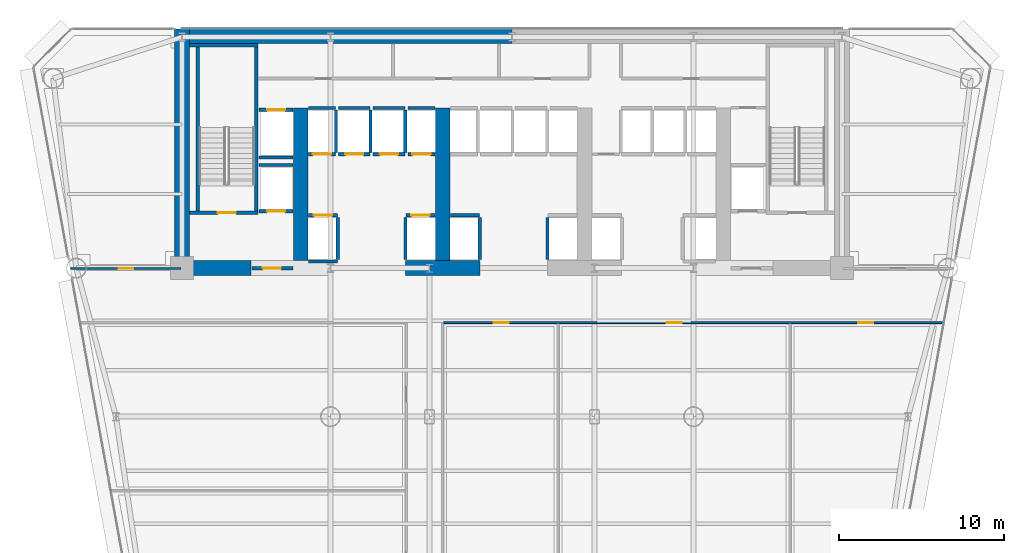
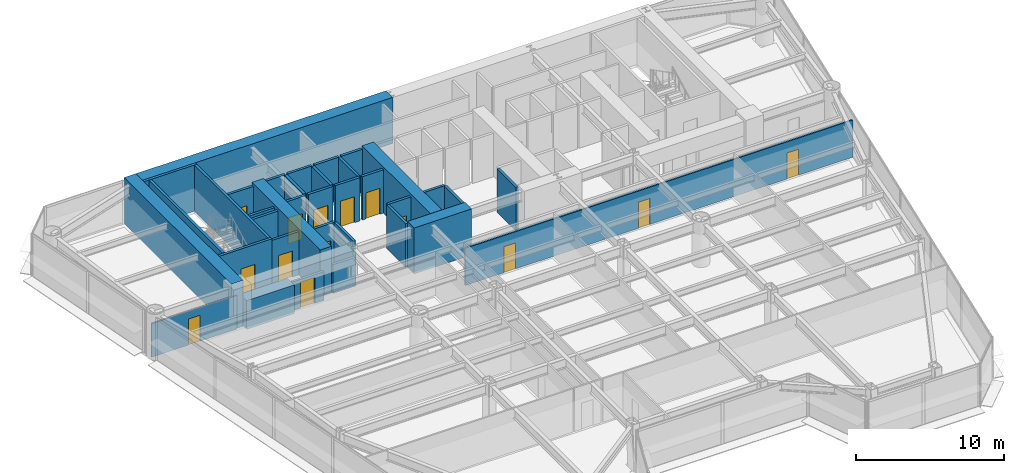
# One storey, part 8 of 14: 36 walls, 14 doors, 14 openings.
"""IFC4 building model written with IfcOpenShell, lengths in metres."""

from ifc_helpers import new_model, si_unit, direction, frame, frame_2d, origin, place, context, subcontext, project, spatial, rectangle, extrude, source, transform, mapped, material, layer, layer_set, type_object, element, fill, save


model = new_model("IFC4")

# Units and contexts
model_context = context("Model", 3, precision=1e-05, world=origin(), true_north=direction((0.0, 1.0)))
body_context = subcontext(model_context, "Body", "Model", "MODEL_VIEW")
ifc_project = project(units=[si_unit("LENGTHUNIT", "METRE"), si_unit("AREAUNIT", "SQUARE_METRE"), si_unit("VOLUMEUNIT", "CUBIC_METRE"), si_unit("PLANEANGLEUNIT", "RADIAN"), si_unit("MASSUNIT", "GRAM", prefix="KILO")], contexts=[model_context])

# Site, building, storey
site_placement = place(None, origin())
site = spatial("IfcSite", under=ifc_project, at=site_placement, CompositionType="ELEMENT")
building_placement = place(site_placement, origin())
building = spatial("IfcBuilding", under=site, at=building_placement, Name="Vaeldorn Concourse Tower", CompositionType="ELEMENT")
storey_placement = place(building_placement, frame((0.0, 0.0, 72.0)))
storey = spatial("IfcBuildingStorey", under=building, at=storey_placement, Name="L18", CompositionType="ELEMENT", Elevation=72.0)

# Walls
ifc_material_1 = material(Name="Concrete C60/75", Category="concrete")
ifc_layer_1 = layer(ifc_material_1, 0.89990234375)
ifc_layer_set_1 = layer_set([ifc_layer_1], Name="Concrete C60/75")
wall_type_1 = type_object("IfcWallType", Name="WL-CORE-900", PredefinedType="SHEAR", material=ifc_layer_set_1)
wall_1_placement = place(storey_placement, frame((14.4541015625, 50.550048828125, 0.0), z_axis=(0.0, 0.0, 1.0), x_axis=(1.0, 0.0, 0.0)))
element("IfcWall", 1, at=wall_1_placement, inside=storey, type_object=wall_type_1, Name="Rear Core Shear Wall L18 N1", PredefinedType="SHEAR", context=body_context, shape_type="SweptSolid", body=[
    extrude(rectangle(XDim=19.5439453125, YDim=0.89990234375, at=frame_2d((9.77197265625, 0.0))), origin(), (0.0, 0.0, 1.0), 3.800048828125),
])
wall_2_placement = place(storey_placement, frame((14.0, 36.5, 0.0), z_axis=(0.0, 0.0, 1.0), x_axis=(0.0, 1.0, 0.0)))
element("IfcWall", 2, at=wall_2_placement, inside=storey, type_object=wall_type_1, Name="Rear Core Shear Wall L18 W1", PredefinedType="SHEAR", context=body_context, shape_type="SweptSolid", body=[
    extrude(rectangle(XDim=14.5, YDim=0.89990234375, at=frame_2d((7.25, 0.0))), origin(), (0.0, 0.0, 1.0), 3.800048828125),
])
wall_3_placement = place(storey_placement, frame((14.469970703125, 36.5, 0.0), z_axis=(0.0, 0.0, 1.0), x_axis=(1.0, 0.0, 0.0)))
element("IfcWall", 3, at=wall_3_placement, inside=storey, type_object=wall_type_1, Name="Rear Core Shear Wall L18 S1", PredefinedType="SHEAR", context=body_context, shape_type="SweptSolid", body=[
    extrude(rectangle(XDim=3.72998046875, YDim=0.89990234375, at=frame_2d((1.864990234375, 0.0))), origin(), (0.0, 0.0, 1.0), 2.3798828125),
])
wall_4_placement = place(storey_placement, frame((27.550048828125, 36.5, 0.0), z_axis=(0.0, 0.0, 1.0), x_axis=(1.0, 0.0, 0.0)))
element("IfcWall", 4, at=wall_4_placement, inside=storey, type_object=wall_type_1, Name="Rear Core Shear Wall L18 S2", PredefinedType="SHEAR", context=body_context, shape_type="SweptSolid", body=[
    extrude(rectangle(XDim=4.5, YDim=0.89990234375, at=frame_2d((2.25, 0.0))), origin(), (0.0, 0.0, 1.0), 3.800048828125),
])
for number, where, z_axis, x_axis, name in (
    (5, (21.199951171875, 36.969970703125, 0.0), (0.0, 0.0, 1.0), (0.0, 1.0, 0.0), "Rear Core Shear Wall L18 M1"),
    (6, (29.800048828125, 36.969970703125, 0.0), (0.0, 0.0, 1.0), (0.0, 1.0, 0.0), "Rear Core Shear Wall L18 M2"),
):
    element("IfcWall", number, at=place(storey_placement, frame(where, z_axis=z_axis, x_axis=x_axis)), inside=storey, type_object=wall_type_1, Name=name, PredefinedType="SHEAR", context=body_context, shape_type="SweptSolid", body=[
        extrude(rectangle(XDim=9.22998046875, YDim=0.89990234375, at=frame_2d((4.614990234375, 0.0))), origin(), (0.0, 0.0, 1.0), 3.800048828125),
    ])

# Wall, openings, doors
ifc_material_2 = material(Name="Gypsum Board Partition", Category="gypsum")
ifc_layer_2 = layer(ifc_material_2, 0.1201171875)
ifc_layer_set_2 = layer_set([ifc_layer_2], Name="Gypsum Board Partition")
wall_type_2 = type_object("IfcWallType", Name="WL-PART-120", PredefinedType="PARTITIONING", material=ifc_layer_set_2)
wall_5_placement = place(storey_placement, frame((29.860107421875, 33.199951171875, 0.0), z_axis=(0.0, 0.0, 1.0), x_axis=(1.0, 0.0, 0.0)))
wall_5 = element("IfcWall", 7, at=wall_5_placement, inside=storey, type_object=wall_type_2, Name="Interior Wall PW-L18-C2SE", PredefinedType="PARTITIONING", context=body_context, shape_type="SweptSolid", body=[
    extrude(rectangle(XDim=30.269287109375, YDim=0.1201171875, at=frame_2d((15.134765625, 0.0))), origin(), (0.0, 0.0, 1.0), 3.070068359375),
])
opening_1_placement = place(wall_5_placement, frame((3.0400390625, 0.0, 0.0)))
opening_1 = element("IfcOpeningElement", 8, at=opening_1_placement, cuts=wall_5, Name="Opening D-03", PredefinedType="OPENING", context=body_context, shape_type="SweptSolid", body=[
    extrude(rectangle(XDim=0.89990234375, YDim=2.14990234375, at=frame_2d((0.449951171875, 1.074951171875))), frame((0.0, 0.070068359375, 0.0), z_axis=(0.0, -1.0, 0.0), x_axis=(1.0, 0.0, 0.0)), (0.0, 0.0, 1.0), 0.14013671875),
])
opening_2_placement = place(wall_5_placement, frame((13.514892578125, 0.0, 0.0)))
opening_2 = element("IfcOpeningElement", 9, at=opening_2_placement, cuts=wall_5, Name="Opening D-03", PredefinedType="OPENING", context=body_context, shape_type="SweptSolid", body=[
    extrude(rectangle(XDim=0.89990234375, YDim=2.14990234375, at=frame_2d((0.449951171875, 1.074951171875))), frame((0.0, 0.070068359375, 0.0), z_axis=(0.0, -1.0, 0.0), x_axis=(1.0, 0.0, 0.0)), (0.0, 0.0, 1.0), 0.14013671875),
])
opening_3_placement = place(wall_5_placement, frame((25.1298828125, 0.0, 0.0)))
opening_3 = element("IfcOpeningElement", 10, at=opening_3_placement, cuts=wall_5, Name="Opening D-03", PredefinedType="OPENING", context=body_context, shape_type="SweptSolid", body=[
    extrude(rectangle(XDim=0.89990234375, YDim=2.14990234375, at=frame_2d((0.449951171875, 1.074951171875))), frame((0.0, 0.070068359375, 0.0), z_axis=(0.0, -1.0, 0.0), x_axis=(1.0, 0.0, 0.0)), (0.0, 0.0, 1.0), 0.14013671875),
])
ifc_material_3 = material(Name="Acoustic Bronze-Framed Glass Door", Category="glass")
door_type_1 = type_object("IfcDoorType", Name="DR-INT-900", OperationType="NOTDEFINED", PredefinedType="DOOR", material=ifc_material_3)
shared_shape_1 = source(origin(), body_context, "Body", "SweptSolid", [
    extrude(rectangle(XDim=0.89990234375, YDim=2.14990234375, at=frame_2d((0.449951171875, 1.074951171875))), frame((0.0, 0.02490234375, 0.0), z_axis=(0.0, -1.0, 0.0), x_axis=(1.0, 0.0, 0.0)), (0.0, 0.0, 1.0), 0.050048828125),
])
door_1_placement = place(opening_1_placement, origin())
door_1 = element("IfcDoor", 11, at=door_1_placement, inside=storey, type_object=door_type_1, Name="Interior Door DR-L18-Z2E1", OperationType="SINGLE_SWING_RIGHT", OverallHeight=2.14990234375, OverallWidth=0.89990234375, PredefinedType="DOOR", context=body_context, shape_type="MappedRepresentation", body=[
    mapped(shared_shape_1, transform((0.0, 0.0, 0.0), scale=1.0)),
])
fill(opening_1, door_1)
door_2_placement = place(opening_2_placement, origin())
door_2 = element("IfcDoor", 12, at=door_2_placement, inside=storey, type_object=door_type_1, Name="Interior Door DR-L18-Z2E2", OperationType="SINGLE_SWING_LEFT", OverallHeight=2.14990234375, OverallWidth=0.89990234375, PredefinedType="DOOR", context=body_context, shape_type="MappedRepresentation", body=[
    mapped(shared_shape_1, transform((0.0, 0.0, 0.0), scale=1.0)),
])
fill(opening_2, door_2)
door_3_placement = place(opening_3_placement, origin())
door_3 = element("IfcDoor", 13, at=door_3_placement, inside=storey, type_object=door_type_1, Name="Interior Door DR-L18-Z2E3", OperationType="SINGLE_SWING_RIGHT", OverallHeight=2.14990234375, OverallWidth=0.89990234375, PredefinedType="DOOR", context=body_context, shape_type="MappedRepresentation", body=[
    mapped(shared_shape_1, transform((0.0, 0.0, 0.0), scale=1.0)),
])
fill(opening_3, door_3)

# Wall, opening, door
wall_6_placement = place(storey_placement, frame((7.277099609375, 36.47998046875, 0.0), z_axis=(0.0, 0.0, 1.0), x_axis=(1.0, 0.0, 0.0)))
wall_6 = element("IfcWall", 14, at=wall_6_placement, inside=storey, type_object=wall_type_2, Name="Interior Wall PW-L18-NWS", PredefinedType="PARTITIONING", context=body_context, shape_type="SweptSolid", body=[
    extrude(rectangle(XDim=6.662841796875, YDim=0.1201171875, at=frame_2d((3.33154296875, 0.0))), origin(), (0.0, 0.0, 1.0), 2.77001953125),
])
opening_4_placement = place(wall_6_placement, frame((2.881103515625, 0.0, 0.0)))
opening_4 = element("IfcOpeningElement", 15, at=opening_4_placement, cuts=wall_6, Name="Opening D-03", PredefinedType="OPENING", context=body_context, shape_type="SweptSolid", body=[
    extrude(rectangle(XDim=0.89990234375, YDim=2.14990234375, at=frame_2d((0.449951171875, 1.074951171875))), frame((0.0, 0.070068359375, 0.0), z_axis=(0.0, -1.0, 0.0), x_axis=(1.0, 0.0, 0.0)), (0.0, 0.0, 1.0), 0.14013671875),
])
door_4_placement = place(opening_4_placement, origin())
door_4 = element("IfcDoor", 16, at=door_4_placement, inside=storey, type_object=door_type_1, Name="Interior Door DR-L18-NWC", OperationType="SINGLE_SWING_LEFT", OverallHeight=2.14990234375, OverallWidth=0.89990234375, PredefinedType="DOOR", context=body_context, shape_type="MappedRepresentation", body=[
    mapped(shared_shape_1, transform((0.0, 0.0, 0.0), scale=1.0)),
])
fill(opening_4, door_4)

ifc_material_4 = material(Name="Concrete C50/60", Category="concrete")
ifc_layer_3 = layer(ifc_material_4, 0.199951171875)
ifc_layer_set_3 = layer_set([ifc_layer_3], Name="Concrete C50/60")
wall_type_3 = type_object("IfcWallType", Name="WL-SHAFT-200", PredefinedType="SOLIDWALL", material=ifc_layer_set_3)
wall_7_placement = place(storey_placement, frame((14.449951171875, 39.85009765625, 0.0), z_axis=(0.0, 0.0, 1.0), x_axis=(1.0, 0.0, 0.0)))
wall_7 = element("IfcWall", 17, at=wall_7_placement, inside=storey, type_object=wall_type_3, Name="Stair Shaft Wall CW-L18-ST-1-S", PredefinedType="SOLIDWALL", context=body_context, shape_type="SweptSolid", body=[
    extrude(rectangle(XDim=4.150146484375, YDim=0.199951171875, at=frame_2d((2.0751953125, 0.0))), origin(), (0.0, 0.0, 1.0), 3.800048828125),
])
opening_5_placement = place(wall_7_placement, frame((1.72509765625, 0.0, 0.0)))
opening_5 = element("IfcOpeningElement", 18, at=opening_5_placement, cuts=wall_7, Name="Opening D-01", PredefinedType="OPENING", context=body_context, shape_type="SweptSolid", body=[
    extrude(rectangle(XDim=1.10009765625, YDim=2.14990234375, at=frame_2d((0.550048828125, 1.074951171875))), frame((0.0, 0.10986328125, 0.0), z_axis=(0.0, -1.0, 0.0), x_axis=(1.0, 0.0, 0.0)), (0.0, 0.0, 1.0), 0.219970703125),
])
ifc_material_5 = material(Name="Fire-Rated Timber and Steel Leaf", Category="steel")
door_type_2 = type_object("IfcDoorType", Name="DR-FD60-1100", OperationType="NOTDEFINED", PredefinedType="DOOR", material=ifc_material_5)
shared_shape_2 = source(origin(), body_context, "Body", "SweptSolid", [
    extrude(rectangle(XDim=1.10009765625, YDim=2.14990234375, at=frame_2d((0.550048828125, 1.074951171875))), frame((0.0, 0.02490234375, 0.0), z_axis=(0.0, -1.0, 0.0), x_axis=(1.0, 0.0, 0.0)), (0.0, 0.0, 1.0), 0.050048828125),
])
door_5_placement = place(opening_5_placement, origin())
door_5 = element("IfcDoor", 19, at=door_5_placement, inside=storey, type_object=door_type_2, Name="Interior Door DR-L18-ST-1", OperationType="SINGLE_SWING_LEFT", OverallHeight=2.14990234375, OverallWidth=1.10009765625, PredefinedType="DOOR", context=body_context, shape_type="MappedRepresentation", body=[
    mapped(shared_shape_2, transform((0.0, 0.0, 0.0), scale=1.0)),
])
fill(opening_5, door_5)

# Walls
wall_8_placement = place(storey_placement, frame((14.449951171875, 50.0, 0.0), z_axis=(0.0, 0.0, 1.0), x_axis=(1.0, 0.0, 0.0)))
element("IfcWall", 20, at=wall_8_placement, inside=storey, type_object=wall_type_3, Name="Stair Shaft Wall CW-L18-ST-1-N", PredefinedType="SOLIDWALL", context=body_context, shape_type="SweptSolid", body=[
    extrude(rectangle(XDim=4.150146484375, YDim=0.199951171875, at=frame_2d((2.0751953125, 0.0))), origin(), (0.0, 0.0, 1.0), 3.800048828125),
])
for number, where, z_axis, x_axis, name in (
    (21, (14.949951171875, 39.9599609375, 0.0), (0.0, 0.0, 1.0), (0.0, 1.0, 0.0), "Stair Shaft Wall CW-L18-ST-1-W"),
    (22, (18.5, 39.9599609375, 0.0), (0.0, 0.0, 1.0), (0.0, 1.0, 0.0), "Stair Shaft Wall CW-L18-ST-1-E"),
):
    element("IfcWall", number, at=place(storey_placement, frame(where, z_axis=z_axis, x_axis=x_axis)), inside=storey, type_object=wall_type_3, Name=name, PredefinedType="SOLIDWALL", context=body_context, shape_type="SweptSolid", body=[
        extrude(rectangle(XDim=9.929931640625, YDim=0.199951171875, at=frame_2d((4.96484375, 0.0))), origin(), (0.0, 0.0, 1.0), 3.800048828125),
    ])

# Wall, opening, door
wall_9_placement = place(storey_placement, frame((18.25, 36.5, 0.0), z_axis=(0.0, 0.0, 1.0), x_axis=(1.0, 0.0, 0.0)))
wall_9 = element("IfcWall", 23, at=wall_9_placement, inside=storey, type_object=wall_type_3, Name="Interior Wall CW-L18-FF1S", PredefinedType="SOLIDWALL", context=body_context, shape_type="SweptSolid", body=[
    extrude(rectangle(XDim=2.469970703125, YDim=0.199951171875, at=frame_2d((1.23486328125, 0.0))), origin(), (0.0, 0.0, 1.0), 2.3701171875),
])
opening_6_placement = place(wall_9_placement, frame((0.64990234375, 0.0, 0.0)))
opening_6 = element("IfcOpeningElement", 24, at=opening_6_placement, cuts=wall_9, Name="Opening D-01", PredefinedType="OPENING", context=body_context, shape_type="SweptSolid", body=[
    extrude(rectangle(XDim=1.10009765625, YDim=2.14990234375, at=frame_2d((0.550048828125, 1.074951171875))), frame((0.0, 0.10986328125, 0.0), z_axis=(0.0, -1.0, 0.0), x_axis=(1.0, 0.0, 0.0)), (0.0, 0.0, 1.0), 0.219970703125),
])
door_6_placement = place(opening_6_placement, origin())
door_6 = element("IfcDoor", 25, at=door_6_placement, inside=storey, type_object=door_type_2, Name="Interior Door DR-L18-FF1E", OperationType="SINGLE_SWING_RIGHT", OverallHeight=2.14990234375, OverallWidth=1.10009765625, PredefinedType="DOOR", context=body_context, shape_type="MappedRepresentation", body=[
    mapped(shared_shape_2, transform((0.0, 0.0, 0.0), scale=1.0)),
])
fill(opening_6, door_6)

wall_10_placement = place(storey_placement, frame((21.659912109375, 39.699951171875, 0.0), z_axis=(0.0, 0.0, 1.0), x_axis=(1.0, 0.0, 0.0)))
wall_10 = element("IfcWall", 26, at=wall_10_placement, inside=storey, type_object=wall_type_3, Name="Interior Wall CW-L18-LF-LF-01", PredefinedType="SOLIDWALL", context=body_context, shape_type="SweptSolid", body=[
    extrude(rectangle(XDim=1.77001953125, YDim=0.199951171875, at=frame_2d((0.885009765625, 0.0))), origin(), (0.0, 0.0, 1.0), 3.580078125),
])
opening_7_placement = place(wall_10_placement, frame((0.3349609375, 0.0, 0.0)))
opening_7 = element("IfcOpeningElement", 27, at=opening_7_placement, cuts=wall_10, Name="Opening LD-1", PredefinedType="OPENING", context=body_context, shape_type="SweptSolid", body=[
    extrude(rectangle(XDim=1.10009765625, YDim=2.14990234375, at=frame_2d((0.550048828125, 1.074951171875))), frame((0.0, 0.10986328125, 0.0), z_axis=(0.0, -1.0, 0.0), x_axis=(1.0, 0.0, 0.0)), (0.0, 0.0, 1.0), 0.219970703125),
])
ifc_material_6 = material(Name="Anodised Bronze Aluminium", Category="aluminium")
door_type_3 = type_object("IfcDoorType", Name="DR-LIFT-SLIDE-1100", OperationType="DOUBLE_DOOR_SLIDING", PredefinedType="DOOR", material=ifc_material_6)
door_7_placement = place(opening_7_placement, origin())
door_7 = element("IfcDoor", 28, at=door_7_placement, inside=storey, type_object=door_type_3, Name="Lift Landing Door LD-L18-LF-01", OperationType="DOUBLE_DOOR_SLIDING", OverallHeight=2.14990234375, OverallWidth=1.10009765625, PredefinedType="DOOR", context=body_context, shape_type="MappedRepresentation", body=[
    mapped(shared_shape_2, transform((0.0, 0.0, 0.0), scale=1.0)),
])
fill(opening_7, door_7)

# Walls
wall_11_placement = place(storey_placement, frame((21.659912109375, 36.89990234375, 0.0), z_axis=(0.0, 0.0, 1.0), x_axis=(1.0, 0.0, 0.0)))
element("IfcWall", 29, at=wall_11_placement, inside=storey, type_object=wall_type_3, Name="Interior Wall CW-L18-LFB-LF-01", PredefinedType="SOLIDWALL", context=body_context, shape_type="SweptSolid", body=[
    extrude(rectangle(XDim=1.77001953125, YDim=0.199951171875, at=frame_2d((0.885009765625, 0.0))), origin(), (0.0, 0.0, 1.0), 2.3701171875),
])
wall_12_placement = place(storey_placement, frame((23.449951171875, 37.02001953125, 0.0), z_axis=(0.0, 0.0, 1.0), x_axis=(0.0, 1.0, 0.0)))
element("IfcWall", 30, at=wall_12_placement, inside=storey, type_object=wall_type_3, Name="Interior Wall CW-L18-LFE-LF-01", PredefinedType="SOLIDWALL", context=body_context, shape_type="SweptSolid", body=[
    extrude(rectangle(XDim=2.56005859375, YDim=0.199951171875, at=frame_2d((1.280029296875, 0.0))), origin(), (0.0, 0.0, 1.0), 3.580078125),
])

# Wall, opening, door
wall_13_placement = place(storey_placement, frame((27.570068359375, 39.699951171875, 0.0), z_axis=(0.0, 0.0, 1.0), x_axis=(1.0, 0.0, 0.0)))
wall_13 = element("IfcWall", 31, at=wall_13_placement, inside=storey, type_object=wall_type_3, Name="Interior Wall CW-L18-LF-LF-02", PredefinedType="SOLIDWALL", context=body_context, shape_type="SweptSolid", body=[
    extrude(rectangle(XDim=1.77001953125, YDim=0.199951171875, at=frame_2d((0.885009765625, 0.0))), origin(), (0.0, 0.0, 1.0), 3.580078125),
])
opening_8_placement = place(wall_13_placement, frame((0.3349609375, 0.0, 0.0)))
opening_8 = element("IfcOpeningElement", 32, at=opening_8_placement, cuts=wall_13, Name="Opening LD-1", PredefinedType="OPENING", context=body_context, shape_type="SweptSolid", body=[
    extrude(rectangle(XDim=1.10009765625, YDim=2.14990234375, at=frame_2d((0.550048828125, 1.074951171875))), frame((0.0, 0.10986328125, 0.0), z_axis=(0.0, -1.0, 0.0), x_axis=(1.0, 0.0, 0.0)), (0.0, 0.0, 1.0), 0.219970703125),
])
door_8_placement = place(opening_8_placement, origin())
door_8 = element("IfcDoor", 33, at=door_8_placement, inside=storey, type_object=door_type_3, Name="Lift Landing Door LD-L18-LF-02", OperationType="DOUBLE_DOOR_SLIDING", OverallHeight=2.14990234375, OverallWidth=1.10009765625, PredefinedType="DOOR", context=body_context, shape_type="MappedRepresentation", body=[
    mapped(shared_shape_2, transform((0.0, 0.0, 0.0), scale=1.0)),
])
fill(opening_8, door_8)

# Wall
wall_14_placement = place(storey_placement, frame((27.550048828125, 37.02001953125, 0.0), z_axis=(0.0, 0.0, 1.0), x_axis=(0.0, 1.0, 0.0)))
element("IfcWall", 34, at=wall_14_placement, inside=storey, type_object=wall_type_3, Name="Interior Wall CW-L18-LFW-LF-02", PredefinedType="SOLIDWALL", context=body_context, shape_type="SweptSolid", body=[
    extrude(rectangle(XDim=2.56005859375, YDim=0.199951171875, at=frame_2d((1.280029296875, 0.0))), origin(), (0.0, 0.0, 1.0), 3.580078125),
])

# Wall, opening, door
wall_15_placement = place(storey_placement, frame((21.659912109375, 43.39990234375, 0.0), z_axis=(0.0, 0.0, 1.0), x_axis=(1.0, 0.0, 0.0)))
wall_15 = element("IfcWall", 35, at=wall_15_placement, inside=storey, type_object=wall_type_3, Name="Interior Wall CW-L18-LF-LF-03", PredefinedType="SOLIDWALL", context=body_context, shape_type="SweptSolid", body=[
    extrude(rectangle(XDim=1.650146484375, YDim=0.199951171875, at=frame_2d((0.8251953125, 0.0))), origin(), (0.0, 0.0, 1.0), 3.580078125),
])
opening_9_placement = place(wall_15_placement, frame((0.27490234375, 0.0, 0.0)))
opening_9 = element("IfcOpeningElement", 36, at=opening_9_placement, cuts=wall_15, Name="Opening LD-1", PredefinedType="OPENING", context=body_context, shape_type="SweptSolid", body=[
    extrude(rectangle(XDim=1.10009765625, YDim=2.14990234375, at=frame_2d((0.550048828125, 1.074951171875))), frame((0.0, 0.10986328125, 0.0), z_axis=(0.0, -1.0, 0.0), x_axis=(1.0, 0.0, 0.0)), (0.0, 0.0, 1.0), 0.219970703125),
])
door_9_placement = place(opening_9_placement, origin())
door_9 = element("IfcDoor", 37, at=door_9_placement, inside=storey, type_object=door_type_3, Name="Lift Landing Door LD-L18-LF-03", OperationType="DOUBLE_DOOR_SLIDING", OverallHeight=2.14990234375, OverallWidth=1.10009765625, PredefinedType="DOOR", context=body_context, shape_type="MappedRepresentation", body=[
    mapped(shared_shape_2, transform((0.0, 0.0, 0.0), scale=1.0)),
])
fill(opening_9, door_9)

# Walls
wall_16_placement = place(storey_placement, frame((21.659912109375, 46.199951171875, 0.0), z_axis=(0.0, 0.0, 1.0), x_axis=(1.0, 0.0, 0.0)))
element("IfcWall", 38, at=wall_16_placement, inside=storey, type_object=wall_type_3, Name="Interior Wall CW-L18-LFB-LF-03", PredefinedType="SOLIDWALL", context=body_context, shape_type="SweptSolid", body=[
    extrude(rectangle(XDim=1.650146484375, YDim=0.199951171875, at=frame_2d((0.8251953125, 0.0))), origin(), (0.0, 0.0, 1.0), 3.580078125),
])
wall_17_placement = place(storey_placement, frame((23.330078125, 43.52001953125, 0.0), z_axis=(0.0, 0.0, 1.0), x_axis=(0.0, 1.0, 0.0)))
element("IfcWall", 39, at=wall_17_placement, inside=storey, type_object=wall_type_3, Name="Interior Wall CW-L18-LFE-LF-03", PredefinedType="SOLIDWALL", context=body_context, shape_type="SweptSolid", body=[
    extrude(rectangle(XDim=2.56005859375, YDim=0.199951171875, at=frame_2d((1.280029296875, 0.0))), origin(), (0.0, 0.0, 1.0), 3.580078125),
])

# Wall, opening, door
wall_18_placement = place(storey_placement, frame((23.489990234375, 43.39990234375, 0.0), z_axis=(0.0, 0.0, 1.0), x_axis=(1.0, 0.0, 0.0)))
wall_18 = element("IfcWall", 40, at=wall_18_placement, inside=storey, type_object=wall_type_3, Name="Interior Wall CW-L18-LF-LF-04", PredefinedType="SOLIDWALL", context=body_context, shape_type="SweptSolid", body=[
    extrude(rectangle(XDim=1.919921875, YDim=0.199951171875, at=frame_2d((0.9599609375, 0.0))), origin(), (0.0, 0.0, 1.0), 3.580078125),
])
opening_10_placement = place(wall_18_placement, frame((0.409912109375, 0.0, 0.0)))
opening_10 = element("IfcOpeningElement", 41, at=opening_10_placement, cuts=wall_18, Name="Opening LD-1", PredefinedType="OPENING", context=body_context, shape_type="SweptSolid", body=[
    extrude(rectangle(XDim=1.10009765625, YDim=2.14990234375, at=frame_2d((0.550048828125, 1.074951171875))), frame((0.0, 0.10986328125, 0.0), z_axis=(0.0, -1.0, 0.0), x_axis=(1.0, 0.0, 0.0)), (0.0, 0.0, 1.0), 0.219970703125),
])
door_10_placement = place(opening_10_placement, origin())
door_10 = element("IfcDoor", 42, at=door_10_placement, inside=storey, type_object=door_type_3, Name="Lift Landing Door LD-L18-LF-04", OperationType="DOUBLE_DOOR_SLIDING", OverallHeight=2.14990234375, OverallWidth=1.10009765625, PredefinedType="DOOR", context=body_context, shape_type="MappedRepresentation", body=[
    mapped(shared_shape_2, transform((0.0, 0.0, 0.0), scale=1.0)),
])
fill(opening_10, door_10)

# Walls
wall_19_placement = place(storey_placement, frame((23.489990234375, 46.199951171875, 0.0), z_axis=(0.0, 0.0, 1.0), x_axis=(1.0, 0.0, 0.0)))
element("IfcWall", 43, at=wall_19_placement, inside=storey, type_object=wall_type_3, Name="Interior Wall CW-L18-LFB-LF-04", PredefinedType="SOLIDWALL", context=body_context, shape_type="SweptSolid", body=[
    extrude(rectangle(XDim=1.919921875, YDim=0.199951171875, at=frame_2d((0.9599609375, 0.0))), origin(), (0.0, 0.0, 1.0), 3.580078125),
])
wall_20_placement = place(storey_placement, frame((25.429931640625, 43.52001953125, 0.0), z_axis=(0.0, 0.0, 1.0), x_axis=(0.0, 1.0, 0.0)))
element("IfcWall", 44, at=wall_20_placement, inside=storey, type_object=wall_type_3, Name="Interior Wall CW-L18-LFE-LF-04", PredefinedType="SOLIDWALL", context=body_context, shape_type="SweptSolid", body=[
    extrude(rectangle(XDim=2.56005859375, YDim=0.199951171875, at=frame_2d((1.280029296875, 0.0))), origin(), (0.0, 0.0, 1.0), 3.580078125),
])

# Wall, opening, door
wall_21_placement = place(storey_placement, frame((25.590087890625, 43.39990234375, 0.0), z_axis=(0.0, 0.0, 1.0), x_axis=(1.0, 0.0, 0.0)))
wall_21 = element("IfcWall", 45, at=wall_21_placement, inside=storey, type_object=wall_type_3, Name="Interior Wall CW-L18-LF-LF-05", PredefinedType="SOLIDWALL", context=body_context, shape_type="SweptSolid", body=[
    extrude(rectangle(XDim=1.919921875, YDim=0.199951171875, at=frame_2d((0.9599609375, 0.0))), origin(), (0.0, 0.0, 1.0), 3.580078125),
])
opening_11_placement = place(wall_21_placement, frame((0.409912109375, 0.0, 0.0)))
opening_11 = element("IfcOpeningElement", 46, at=opening_11_placement, cuts=wall_21, Name="Opening LD-1", PredefinedType="OPENING", context=body_context, shape_type="SweptSolid", body=[
    extrude(rectangle(XDim=1.10009765625, YDim=2.14990234375, at=frame_2d((0.550048828125, 1.074951171875))), frame((0.0, 0.10986328125, 0.0), z_axis=(0.0, -1.0, 0.0), x_axis=(1.0, 0.0, 0.0)), (0.0, 0.0, 1.0), 0.219970703125),
])
door_11_placement = place(opening_11_placement, origin())
door_11 = element("IfcDoor", 47, at=door_11_placement, inside=storey, type_object=door_type_3, Name="Lift Landing Door LD-L18-LF-05", OperationType="DOUBLE_DOOR_SLIDING", OverallHeight=2.14990234375, OverallWidth=1.10009765625, PredefinedType="DOOR", context=body_context, shape_type="MappedRepresentation", body=[
    mapped(shared_shape_2, transform((0.0, 0.0, 0.0), scale=1.0)),
])
fill(opening_11, door_11)

# Walls
wall_22_placement = place(storey_placement, frame((25.590087890625, 46.199951171875, 0.0), z_axis=(0.0, 0.0, 1.0), x_axis=(1.0, 0.0, 0.0)))
element("IfcWall", 48, at=wall_22_placement, inside=storey, type_object=wall_type_3, Name="Interior Wall CW-L18-LFB-LF-05", PredefinedType="SOLIDWALL", context=body_context, shape_type="SweptSolid", body=[
    extrude(rectangle(XDim=1.919921875, YDim=0.199951171875, at=frame_2d((0.9599609375, 0.0))), origin(), (0.0, 0.0, 1.0), 3.580078125),
])
wall_23_placement = place(storey_placement, frame((27.530029296875, 43.52001953125, 0.0), z_axis=(0.0, 0.0, 1.0), x_axis=(0.0, 1.0, 0.0)))
element("IfcWall", 49, at=wall_23_placement, inside=storey, type_object=wall_type_3, Name="Interior Wall CW-L18-LFE-LF-05", PredefinedType="SOLIDWALL", context=body_context, shape_type="SweptSolid", body=[
    extrude(rectangle(XDim=2.56005859375, YDim=0.199951171875, at=frame_2d((1.280029296875, 0.0))), origin(), (0.0, 0.0, 1.0), 3.580078125),
])

# Wall, opening, door
wall_24_placement = place(storey_placement, frame((27.68994140625, 43.39990234375, 0.0), z_axis=(0.0, 0.0, 1.0), x_axis=(1.0, 0.0, 0.0)))
wall_24 = element("IfcWall", 50, at=wall_24_placement, inside=storey, type_object=wall_type_3, Name="Interior Wall CW-L18-LF-LF-06", PredefinedType="SOLIDWALL", context=body_context, shape_type="SweptSolid", body=[
    extrude(rectangle(XDim=1.650146484375, YDim=0.199951171875, at=frame_2d((0.8251953125, 0.0))), origin(), (0.0, 0.0, 1.0), 3.580078125),
])
opening_12_placement = place(wall_24_placement, frame((0.27490234375, 0.0, 0.0)))
opening_12 = element("IfcOpeningElement", 51, at=opening_12_placement, cuts=wall_24, Name="Opening LD-1", PredefinedType="OPENING", context=body_context, shape_type="SweptSolid", body=[
    extrude(rectangle(XDim=1.10009765625, YDim=2.14990234375, at=frame_2d((0.550048828125, 1.074951171875))), frame((0.0, 0.10986328125, 0.0), z_axis=(0.0, -1.0, 0.0), x_axis=(1.0, 0.0, 0.0)), (0.0, 0.0, 1.0), 0.219970703125),
])
door_12_placement = place(opening_12_placement, origin())
door_12 = element("IfcDoor", 52, at=door_12_placement, inside=storey, type_object=door_type_3, Name="Lift Landing Door LD-L18-LF-06", OperationType="DOUBLE_DOOR_SLIDING", OverallHeight=2.14990234375, OverallWidth=1.10009765625, PredefinedType="DOOR", context=body_context, shape_type="MappedRepresentation", body=[
    mapped(shared_shape_2, transform((0.0, 0.0, 0.0), scale=1.0)),
])
fill(opening_12, door_12)

# Walls
wall_25_placement = place(storey_placement, frame((27.68994140625, 46.199951171875, 0.0), z_axis=(0.0, 0.0, 1.0), x_axis=(1.0, 0.0, 0.0)))
element("IfcWall", 53, at=wall_25_placement, inside=storey, type_object=wall_type_3, Name="Interior Wall CW-L18-LFB-LF-06", PredefinedType="SOLIDWALL", context=body_context, shape_type="SweptSolid", body=[
    extrude(rectangle(XDim=1.650146484375, YDim=0.199951171875, at=frame_2d((0.8251953125, 0.0))), origin(), (0.0, 0.0, 1.0), 3.580078125),
])
wall_26_placement = place(storey_placement, frame((30.260009765625, 39.699951171875, 0.0), z_axis=(0.0, 0.0, 1.0), x_axis=(1.0, 0.0, 0.0)))
element("IfcWall", 54, at=wall_26_placement, inside=storey, type_object=wall_type_3, Name="Interior Wall CW-L18-LF-LF-07", PredefinedType="SOLIDWALL", context=body_context, shape_type="SweptSolid", body=[
    extrude(rectangle(XDim=1.77001953125, YDim=0.199951171875, at=frame_2d((0.885009765625, 0.0))), origin(), (0.0, 0.0, 1.0), 3.580078125),
])
for number, where, z_axis, x_axis, name in (
    (55, (32.050048828125, 37.02001953125, 0.0), (0.0, 0.0, 1.0), (0.0, 1.0, 0.0), "Interior Wall CW-L18-LFE-LF-07"),
    (56, (36.14990234375, 37.02001953125, 0.0), (0.0, 0.0, 1.0), (0.0, 1.0, 0.0), "Interior Wall CW-L18-LFW-LF-08"),
):
    element("IfcWall", number, at=place(storey_placement, frame(where, z_axis=z_axis, x_axis=x_axis)), inside=storey, type_object=wall_type_3, Name=name, PredefinedType="SOLIDWALL", context=body_context, shape_type="SweptSolid", body=[
        extrude(rectangle(XDim=2.56005859375, YDim=0.199951171875, at=frame_2d((1.280029296875, 0.0))), origin(), (0.0, 0.0, 1.0), 3.580078125),
    ])

# Wall, opening, door
wall_27_placement = place(storey_placement, frame((18.669921875, 46.10009765625, 0.0), z_axis=(0.0, 0.0, 1.0), x_axis=(1.0, 0.0, 0.0)))
wall_27 = element("IfcWall", 57, at=wall_27_placement, inside=storey, type_object=wall_type_3, Name="Interior Wall CW-L18-LF-LF-SV1", PredefinedType="SOLIDWALL", context=body_context, shape_type="SweptSolid", body=[
    extrude(rectangle(XDim=2.070068359375, YDim=0.199951171875, at=frame_2d((1.03515625, 0.0))), origin(), (0.0, 0.0, 1.0), 3.580078125),
])
opening_13_placement = place(wall_27_placement, frame((0.485107421875, 0.0, 0.0)))
opening_13 = element("IfcOpeningElement", 58, at=opening_13_placement, cuts=wall_27, Name="Opening LD-1", PredefinedType="OPENING", context=body_context, shape_type="SweptSolid", body=[
    extrude(rectangle(XDim=1.10009765625, YDim=2.14990234375, at=frame_2d((0.550048828125, 1.074951171875))), frame((0.0, 0.10986328125, 0.0), z_axis=(0.0, -1.0, 0.0), x_axis=(1.0, 0.0, 0.0)), (0.0, 0.0, 1.0), 0.219970703125),
])
door_13_placement = place(opening_13_placement, origin())
door_13 = element("IfcDoor", 59, at=door_13_placement, inside=storey, type_object=door_type_3, Name="Lift Landing Door LD-L18-LF-SV1", OperationType="DOUBLE_DOOR_SLIDING", OverallHeight=2.14990234375, OverallWidth=1.10009765625, PredefinedType="DOOR", context=body_context, shape_type="MappedRepresentation", body=[
    mapped(shared_shape_2, transform((0.0, 0.0, 0.0), scale=1.0)),
])
fill(opening_13, door_13)

# Wall
wall_28_placement = place(storey_placement, frame((18.669921875, 43.199951171875, 0.0), z_axis=(0.0, 0.0, 1.0), x_axis=(1.0, 0.0, 0.0)))
element("IfcWall", 60, at=wall_28_placement, inside=storey, type_object=wall_type_3, Name="Interior Wall CW-L18-LFB-LF-SV1", PredefinedType="SOLIDWALL", context=body_context, shape_type="SweptSolid", body=[
    extrude(rectangle(XDim=2.070068359375, YDim=0.199951171875, at=frame_2d((1.03515625, 0.0))), origin(), (0.0, 0.0, 1.0), 3.580078125),
])

# Wall, opening, door
wall_29_placement = place(storey_placement, frame((18.669921875, 39.949951171875, 0.0), z_axis=(0.0, 0.0, 1.0), x_axis=(1.0, 0.0, 0.0)))
wall_29 = element("IfcWall", 61, at=wall_29_placement, inside=storey, type_object=wall_type_3, Name="Interior Wall CW-L18-LF-LF-FF1", PredefinedType="SOLIDWALL", context=body_context, shape_type="SweptSolid", body=[
    extrude(rectangle(XDim=2.070068359375, YDim=0.199951171875, at=frame_2d((1.03515625, 0.0))), origin(), (0.0, 0.0, 1.0), 3.580078125),
])
opening_14_placement = place(wall_29_placement, frame((0.485107421875, 0.0, 0.0)))
opening_14 = element("IfcOpeningElement", 62, at=opening_14_placement, cuts=wall_29, Name="Opening LD-1", PredefinedType="OPENING", context=body_context, shape_type="SweptSolid", body=[
    extrude(rectangle(XDim=1.10009765625, YDim=2.14990234375, at=frame_2d((0.550048828125, 1.074951171875))), frame((0.0, 0.10986328125, 0.0), z_axis=(0.0, -1.0, 0.0), x_axis=(1.0, 0.0, 0.0)), (0.0, 0.0, 1.0), 0.219970703125),
])
door_14_placement = place(opening_14_placement, origin())
door_14 = element("IfcDoor", 63, at=door_14_placement, inside=storey, type_object=door_type_3, Name="Lift Landing Door LD-L18-LF-FF1", OperationType="DOUBLE_DOOR_SLIDING", OverallHeight=2.14990234375, OverallWidth=1.10009765625, PredefinedType="DOOR", context=body_context, shape_type="MappedRepresentation", body=[
    mapped(shared_shape_2, transform((0.0, 0.0, 0.0), scale=1.0)),
])
fill(opening_14, door_14)

# Wall
wall_30_placement = place(storey_placement, frame((18.669921875, 42.75, 0.0), z_axis=(0.0, 0.0, 1.0), x_axis=(1.0, 0.0, 0.0)))
element("IfcWall", 64, at=wall_30_placement, inside=storey, type_object=wall_type_3, Name="Interior Wall CW-L18-LFB-LF-FF1", PredefinedType="SOLIDWALL", context=body_context, shape_type="SweptSolid", body=[
    extrude(rectangle(XDim=2.070068359375, YDim=0.199951171875, at=frame_2d((1.03515625, 0.0))), origin(), (0.0, 0.0, 1.0), 3.580078125),
])

save(model, "model.ifc")
